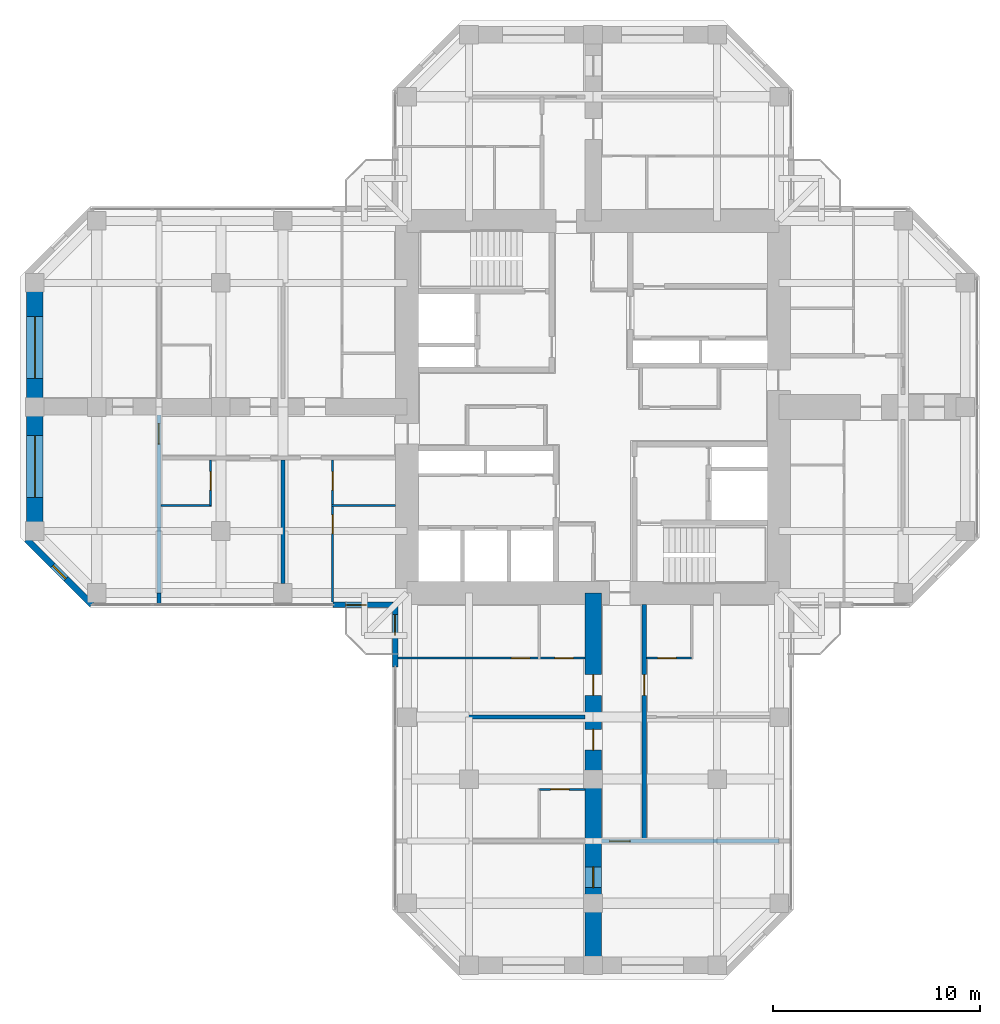
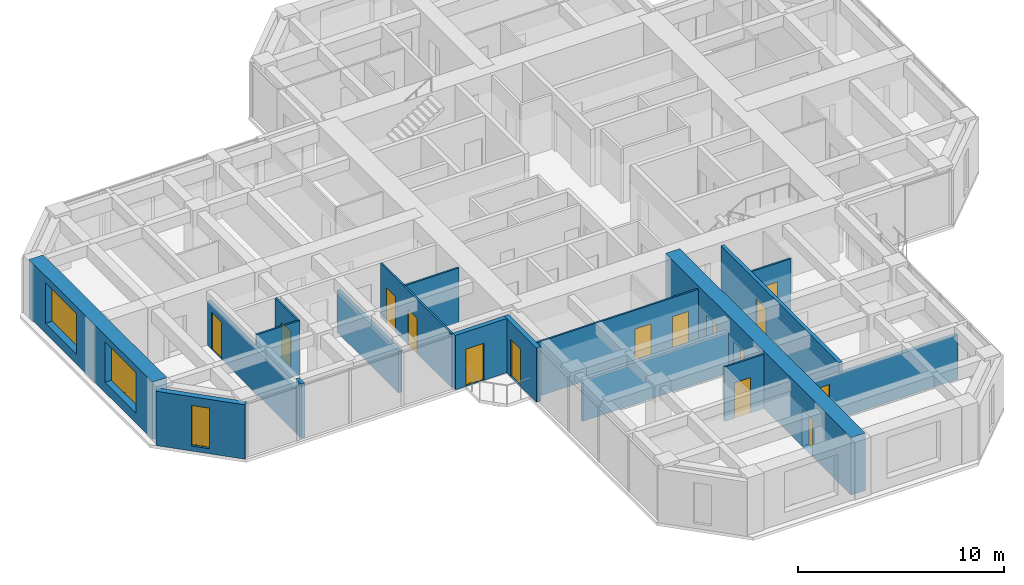
# One storey, part 8 of 14: 18 walls, 15 doors, 3 windows, 18 openings.
"""IFC4 building model written with IfcOpenShell, lengths in metres."""

from ifc_helpers import new_model, si_unit, direction, frame, frame_2d, origin, place, context, subcontext, project, spatial, rectangle, hollow_rectangle, extrude, material, layer, layer_set, constituent, constituent_set, type_object, element, fill, save


model = new_model("IFC4")

# Units and contexts
model_context = context("Model", 3, precision=1e-05, world=origin(), true_north=direction((0.0, 1.0)))
body_context = subcontext(model_context, "Body", "Model", "MODEL_VIEW")
ifc_project = project(units=[si_unit("LENGTHUNIT", "METRE"), si_unit("AREAUNIT", "SQUARE_METRE"), si_unit("VOLUMEUNIT", "CUBIC_METRE"), si_unit("PLANEANGLEUNIT", "RADIAN"), si_unit("MASSUNIT", "GRAM", prefix="KILO")], contexts=[model_context])

# Site, building, storey
site_placement = place(None, origin())
site = spatial("IfcSite", under=ifc_project, at=site_placement, CompositionType="ELEMENT")
building_placement = place(site_placement, origin())
building = spatial("IfcBuilding", under=site, at=building_placement, Name="Torre Cruceta", CompositionType="ELEMENT")
storey_placement = place(building_placement, frame((0.0, 0.0, 183.10009765625)))
storey = spatial("IfcBuildingStorey", under=building, at=storey_placement, Name="L45", CompositionType="ELEMENT", Elevation=183.10009765625)

# Wall, opening, door
ifc_material_1 = material(Name="Water-resistant plasterboard on steel studs", Category="steel")
ifc_layer_1 = layer(ifc_material_1, 0.10009765625)
ifc_layer_set_1 = layer_set([ifc_layer_1], Name="Water-resistant plasterboard on steel studs")
wall_type_1 = type_object("IfcWallType", Name="BATHROOM WALL 100", PredefinedType="PARTITIONING", material=ifc_layer_set_1)
wall_1_placement = place(storey_placement, frame((2.574951171875, -12.14990234375, 0.0), z_axis=(0.0, 0.0, 1.0), x_axis=(1.0, 0.0, 0.0)))
wall_1 = element("IfcWall", 1, at=wall_1_placement, inside=storey, type_object=wall_type_1, Name="PT4 L45-S-U1LBS", PredefinedType="PARTITIONING", context=body_context, shape_type="SweptSolid", body=[
    extrude(rectangle(XDim=2.199951171875, YDim=0.10009765625, at=frame_2d((1.10009765625, 0.0))), origin(), (0.0, 0.0, 1.0), 3.219970703125),
])
opening_1_placement = place(wall_1_placement, frame((0.550048828125, 0.0, 0.0)))
opening_1 = element("IfcOpeningElement", 2, at=opening_1_placement, cuts=wall_1, Name="Opening D7", PredefinedType="OPENING", context=body_context, shape_type="SweptSolid", body=[
    extrude(rectangle(XDim=0.89990234375, YDim=2.10009765625, at=frame_2d((0.449951171875, 1.050048828125))), frame((0.0, 0.06005859375, 0.0), z_axis=(0.0, -1.0, 0.0), x_axis=(1.0, 0.0, 0.0)), (0.0, 0.0, 1.0), 0.1201171875),
])
ifc_material_2 = material(Name="Timber door", Category="wood")
door_type_1 = type_object("IfcDoorType", Name="BATHROOM DOOR 900X2100", OperationType="SINGLE_SWING_LEFT", PredefinedType="DOOR", material=ifc_material_2)
door_1_placement = place(opening_1_placement, origin())
door_1 = element("IfcDoor", 3, at=door_1_placement, inside=storey, type_object=door_type_1, Name="D7 L45-S-U1LBS-D1", OperationType="SINGLE_SWING_LEFT", OverallHeight=2.10009765625, OverallWidth=0.89990234375, PredefinedType="DOOR", context=body_context, shape_type="SweptSolid", body=[
    extrude(rectangle(XDim=0.89990234375, YDim=2.10009765625, at=frame_2d((0.449951171875, 1.050048828125))), frame((0.0, 0.02490234375, 0.0), z_axis=(0.0, -1.0, 0.0), x_axis=(1.0, 0.0, 0.0)), (0.0, 0.0, 1.0), 0.050048828125),
])
fill(opening_1, door_1)

# Wall, openings, doors
wall_2_placement = place(storey_placement, frame((-9.445068359375, -12.14990234375, 0.0), z_axis=(0.0, 0.0, 1.0), x_axis=(1.0, 0.0, 0.0)))
wall_2 = element("IfcWall", 4, at=wall_2_placement, inside=storey, type_object=wall_type_1, Name="PT4 L45-S-U1RBS", PredefinedType="PARTITIONING", context=body_context, shape_type="SweptSolid", body=[
    extrude(rectangle(XDim=9.045166015625, YDim=0.10009765625, at=frame_2d((4.5224609375, 0.0))), origin(), (0.0, 0.0, 1.0), 3.219970703125),
])
opening_2_placement = place(wall_2_placement, frame((5.4951171875, 0.0, 0.0)))
opening_2 = element("IfcOpeningElement", 5, at=opening_2_placement, cuts=wall_2, Name="Opening D7", PredefinedType="OPENING", context=body_context, shape_type="SweptSolid", body=[
    extrude(rectangle(XDim=0.89990234375, YDim=2.10009765625, at=frame_2d((0.449951171875, 1.050048828125))), frame((0.0, 0.06005859375, 0.0), z_axis=(0.0, -1.0, 0.0), x_axis=(1.0, 0.0, 0.0)), (0.0, 0.0, 1.0), 0.1201171875),
])
opening_3_placement = place(wall_2_placement, frame((7.594970703125, 0.0, 0.0)))
opening_3 = element("IfcOpeningElement", 6, at=opening_3_placement, cuts=wall_2, Name="Opening D7", PredefinedType="OPENING", context=body_context, shape_type="SweptSolid", body=[
    extrude(rectangle(XDim=0.89990234375, YDim=2.10009765625, at=frame_2d((0.449951171875, 1.050048828125))), frame((0.0, 0.06005859375, 0.0), z_axis=(0.0, -1.0, 0.0), x_axis=(1.0, 0.0, 0.0)), (0.0, 0.0, 1.0), 0.1201171875),
])
door_2_placement = place(opening_2_placement, origin())
door_2 = element("IfcDoor", 7, at=door_2_placement, inside=storey, type_object=door_type_1, Name="D7 L45-S-U1RBS-D1", OperationType="SINGLE_SWING_RIGHT", OverallHeight=2.10009765625, OverallWidth=0.89990234375, PredefinedType="DOOR", context=body_context, shape_type="SweptSolid", body=[
    extrude(rectangle(XDim=0.89990234375, YDim=2.10009765625, at=frame_2d((0.449951171875, 1.050048828125))), frame((0.0, 0.02490234375, 0.0), z_axis=(0.0, -1.0, 0.0), x_axis=(1.0, 0.0, 0.0)), (0.0, 0.0, 1.0), 0.050048828125),
])
fill(opening_2, door_2)
door_3_placement = place(opening_3_placement, origin())
door_3 = element("IfcDoor", 8, at=door_3_placement, inside=storey, type_object=door_type_1, Name="D7 L45-S-U1RBS-D2", OperationType="SINGLE_SWING_RIGHT", OverallHeight=2.10009765625, OverallWidth=0.89990234375, PredefinedType="DOOR", context=body_context, shape_type="SweptSolid", body=[
    extrude(rectangle(XDim=0.89990234375, YDim=2.10009765625, at=frame_2d((0.449951171875, 1.050048828125))), frame((0.0, 0.02490234375, 0.0), z_axis=(0.0, -1.0, 0.0), x_axis=(1.0, 0.0, 0.0)), (0.0, 0.0, 1.0), 0.050048828125),
])
fill(opening_3, door_3)

# Wall, opening, door
wall_3_placement = place(storey_placement, frame((-2.60009765625, -18.5, 0.0), z_axis=(0.0, 0.0, 1.0), x_axis=(1.0, 0.0, 0.0)))
wall_3 = element("IfcWall", 9, at=wall_3_placement, inside=storey, type_object=wall_type_1, Name="PT4 L45-S-U2RBS", PredefinedType="PARTITIONING", context=body_context, shape_type="SweptSolid", body=[
    extrude(rectangle(XDim=2.2001953125, YDim=0.10009765625, at=frame_2d((1.10009765625, 0.0))), origin(), (0.0, 0.0, 1.0), 3.219970703125),
])
opening_4_placement = place(wall_3_placement, frame((0.550048828125, 0.0, 0.0)))
opening_4 = element("IfcOpeningElement", 10, at=opening_4_placement, cuts=wall_3, Name="Opening D7", PredefinedType="OPENING", context=body_context, shape_type="SweptSolid", body=[
    extrude(rectangle(XDim=0.89990234375, YDim=2.10009765625, at=frame_2d((0.449951171875, 1.050048828125))), frame((0.0, 0.06005859375, 0.0), z_axis=(0.0, -1.0, 0.0), x_axis=(1.0, 0.0, 0.0)), (0.0, 0.0, 1.0), 0.1201171875),
])
door_4_placement = place(opening_4_placement, frame((0.89990234375, 0.0, 0.0), z_axis=(0.0, 0.0, 1.0), x_axis=(-1.0, 0.0, 0.0)))
door_4 = element("IfcDoor", 11, at=door_4_placement, inside=storey, type_object=door_type_1, Name="D7 L45-S-U2RBS-D1", OperationType="SINGLE_SWING_RIGHT", OverallHeight=2.10009765625, OverallWidth=0.89990234375, PredefinedType="DOOR", context=body_context, shape_type="SweptSolid", body=[
    extrude(rectangle(XDim=0.89990234375, YDim=2.10009765625, at=frame_2d((0.449951171875, 1.050048828125))), frame((0.0, 0.025146484375, 0.0), z_axis=(0.0, -1.0, 0.0), x_axis=(1.0, 0.0, 0.0)), (0.0, 0.0, 1.0), 0.050048828125),
])
fill(opening_4, door_4)

# Wall
wall_4_placement = place(storey_placement, frame((-9.550048828125, -4.77490234375, 0.0), z_axis=(0.0, 0.0, 1.0), x_axis=(-1.0, 0.0, 0.0)))
element("IfcWall", 12, at=wall_4_placement, inside=storey, type_object=wall_type_1, Name="PT4 L45-W-U1LBB", PredefinedType="PARTITIONING", context=body_context, shape_type="SweptSolid", body=[
    extrude(rectangle(XDim=3.099853515625, YDim=0.10009765625, at=frame_2d((1.5498046875, 0.0))), origin(), (0.0, 0.0, 1.0), 3.219970703125),
])

# Wall, openings, doors
wall_5_placement = place(storey_placement, frame((-12.60009765625, -2.574951171875, 0.0), z_axis=(0.0, 0.0, 1.0), x_axis=(0.0, -1.0, 0.0)))
wall_5 = element("IfcWall", 13, at=wall_5_placement, inside=storey, type_object=wall_type_1, Name="PT4 L45-W-U1LBS", PredefinedType="PARTITIONING", context=body_context, shape_type="SweptSolid", body=[
    extrude(rectangle(XDim=6.8701171875, YDim=0.10009765625, at=frame_2d((3.43505859375, 0.0))), origin(), (0.0, 0.0, 1.0), 3.219970703125),
])
opening_5_placement = place(wall_5_placement, frame((0.550048828125, 0.0, 0.0)))
opening_5 = element("IfcOpeningElement", 14, at=opening_5_placement, cuts=wall_5, Name="Opening D7", PredefinedType="OPENING", context=body_context, shape_type="SweptSolid", body=[
    extrude(rectangle(XDim=0.89990234375, YDim=2.10009765625, at=frame_2d((0.449951171875, 1.050048828125))), frame((0.0, 0.06005859375, 0.0), z_axis=(0.0, -1.0, 0.0), x_axis=(1.0, 0.0, 0.0)), (0.0, 0.0, 1.0), 0.1201171875),
])
opening_6_placement = place(wall_5_placement, frame((2.64990234375, 0.0, 0.0)))
opening_6 = element("IfcOpeningElement", 15, at=opening_6_placement, cuts=wall_5, Name="Opening D7", PredefinedType="OPENING", context=body_context, shape_type="SweptSolid", body=[
    extrude(rectangle(XDim=0.89990234375, YDim=2.10009765625, at=frame_2d((0.449951171875, 1.050048828125))), frame((0.0, 0.06005859375, 0.0), z_axis=(0.0, -1.0, 0.0), x_axis=(1.0, 0.0, 0.0)), (0.0, 0.0, 1.0), 0.1201171875),
])
door_5_placement = place(opening_5_placement, origin())
door_5 = element("IfcDoor", 16, at=door_5_placement, inside=storey, type_object=door_type_1, Name="D7 L45-W-U1LBS-D1", OperationType="SINGLE_SWING_LEFT", OverallHeight=2.10009765625, OverallWidth=0.89990234375, PredefinedType="DOOR", context=body_context, shape_type="SweptSolid", body=[
    extrude(rectangle(XDim=0.89990234375, YDim=2.10009765625, at=frame_2d((0.449951171875, 1.050048828125))), frame((0.0, 0.02490234375, 0.0), z_axis=(0.0, -1.0, 0.0), x_axis=(1.0, 0.0, 0.0)), (0.0, 0.0, 1.0), 0.050048828125),
])
fill(opening_5, door_5)
door_6_placement = place(opening_6_placement, origin())
door_6 = element("IfcDoor", 17, at=door_6_placement, inside=storey, type_object=door_type_1, Name="D7 L45-W-U1LBS-D2", OperationType="SINGLE_SWING_LEFT", OverallHeight=2.10009765625, OverallWidth=0.89990234375, PredefinedType="DOOR", context=body_context, shape_type="SweptSolid", body=[
    extrude(rectangle(XDim=0.89990234375, YDim=2.10009765625, at=frame_2d((0.449951171875, 1.050048828125))), frame((0.0, 0.02490234375, 0.0), z_axis=(0.0, -1.0, 0.0), x_axis=(1.0, 0.0, 0.0)), (0.0, 0.0, 1.0), 0.050048828125),
])
fill(opening_6, door_6)

# Wall
wall_6_placement = place(storey_placement, frame((-18.449951171875, -4.77490234375, 0.0), z_axis=(0.0, 0.0, 1.0), x_axis=(-1.0, 0.0, 0.0)))
element("IfcWall", 18, at=wall_6_placement, inside=storey, type_object=wall_type_1, Name="PT4 L45-W-U2LBB", PredefinedType="PARTITIONING", context=body_context, shape_type="SweptSolid", body=[
    extrude(rectangle(XDim=2.449951171875, YDim=0.10009765625, at=frame_2d((1.22509765625, 0.0))), origin(), (0.0, 0.0, 1.0), 3.219970703125),
])

# Wall, opening, door
wall_7_placement = place(storey_placement, frame((-18.5, -2.574951171875, 0.0), z_axis=(0.0, 0.0, 1.0), x_axis=(0.0, -1.0, 0.0)))
wall_7 = element("IfcWall", 19, at=wall_7_placement, inside=storey, type_object=wall_type_1, Name="PT4 L45-W-U2LBS", PredefinedType="PARTITIONING", context=body_context, shape_type="SweptSolid", body=[
    extrude(rectangle(XDim=2.199951171875, YDim=0.10009765625, at=frame_2d((1.10009765625, 0.0))), origin(), (0.0, 0.0, 1.0), 3.219970703125),
])
opening_7_placement = place(wall_7_placement, frame((0.550048828125, 0.0, 0.0)))
opening_7 = element("IfcOpeningElement", 20, at=opening_7_placement, cuts=wall_7, Name="Opening D7", PredefinedType="OPENING", context=body_context, shape_type="SweptSolid", body=[
    extrude(rectangle(XDim=0.89990234375, YDim=2.10009765625, at=frame_2d((0.449951171875, 1.050048828125))), frame((0.0, 0.06005859375, 0.0), z_axis=(0.0, -1.0, 0.0), x_axis=(1.0, 0.0, 0.0)), (0.0, 0.0, 1.0), 0.1201171875),
])
door_7_placement = place(opening_7_placement, frame((0.89990234375, 0.0, 0.0), z_axis=(0.0, 0.0, 1.0), x_axis=(-1.0, 0.0, 0.0)))
door_7 = element("IfcDoor", 21, at=door_7_placement, inside=storey, type_object=door_type_1, Name="D7 L45-W-U2LBS-D1", OperationType="SINGLE_SWING_RIGHT", OverallHeight=2.10009765625, OverallWidth=0.89990234375, PredefinedType="DOOR", context=body_context, shape_type="SweptSolid", body=[
    extrude(rectangle(XDim=0.89990234375, YDim=2.10009765625, at=frame_2d((0.449951171875, 1.050048828125))), frame((0.0, 0.025146484375, 0.0), z_axis=(0.0, -1.0, 0.0), x_axis=(1.0, 0.0, 0.0)), (0.0, 0.0, 1.0), 0.050048828125),
])
fill(opening_7, door_7)

ifc_material_3 = material(Name="Concrete G25 (fck 25 MPa)", Category="concrete")
ifc_layer_2 = layer(ifc_material_3, 0.199951171875)
ifc_layer_set_2 = layer_set([ifc_layer_2], Name="Concrete G25 (fck 25 MPa)")
wall_type_2 = type_object("IfcWallType", Name="CORRIDOR WALL 200", PredefinedType="SOLIDWALL", material=ifc_layer_set_2)
wall_8_placement = place(storey_placement, frame((2.47509765625, -9.550048828125, 0.0), z_axis=(0.0, 0.0, 1.0), x_axis=(0.0, -1.0, 0.0)))
wall_8 = element("IfcWall", 22, at=wall_8_placement, inside=storey, type_object=wall_type_2, Name="PT3 L45-S-CL", PredefinedType="SOLIDWALL", context=body_context, shape_type="SweptSolid", body=[
    extrude(rectangle(XDim=11.449951171875, YDim=0.199951171875, at=frame_2d((5.72509765625, 0.0))), origin(), (0.0, 0.0, 1.0), 3.219970703125),
])
opening_8_placement = place(wall_8_placement, frame((3.39990234375, 0.0, 0.0)))
opening_8 = element("IfcOpeningElement", 23, at=opening_8_placement, cuts=wall_8, Name="Opening D6", PredefinedType="OPENING", context=body_context, shape_type="SweptSolid", body=[
    extrude(rectangle(XDim=1.0, YDim=2.14990234375, at=frame_2d((0.5, 1.074951171875))), frame((0.0, 0.10986328125, 0.0), z_axis=(0.0, -1.0, 0.0), x_axis=(1.0, 0.0, 0.0)), (0.0, 0.0, 1.0), 0.219970703125),
])
ifc_material_4 = material(Name="Timber fire door", Category="wood")
door_type_2 = type_object("IfcDoorType", Name="UNIT ENTRANCE DOOR 1000X2150", OperationType="SINGLE_SWING_LEFT", PredefinedType="DOOR", material=ifc_material_4)
door_8_placement = place(opening_8_placement, origin())
door_8 = element("IfcDoor", 24, at=door_8_placement, inside=storey, type_object=door_type_2, Name="D6 L45-S-CL-D1", OperationType="SINGLE_SWING_LEFT", OverallHeight=2.14990234375, OverallWidth=1.0, PredefinedType="DOOR", context=body_context, shape_type="SweptSolid", body=[
    extrude(rectangle(XDim=1.0, YDim=2.14990234375, at=frame_2d((0.5, 1.074951171875))), frame((0.0, 0.02490234375, 0.0), z_axis=(0.0, -1.0, 0.0), x_axis=(1.0, 0.0, 0.0)), (0.0, 0.0, 1.0), 0.050048828125),
])
fill(opening_8, door_8)

# Wall, opening, window
ifc_material_5 = material(Name="Concrete G30 (fck 30 MPa)", Category="concrete")
ifc_layer_3 = layer(ifc_material_5, 0.300048828125)
ifc_layer_set_3 = layer_set([ifc_layer_3], Name="Concrete G30 (fck 30 MPa)")
wall_type_3 = type_object("IfcWallType", Name="EXPOSED CONCRETE FACADE WALL 300", PredefinedType="SOLIDWALL", material=ifc_layer_set_3)
wall_9_placement = place(storey_placement, frame((-27.39990234375, -6.406005859375, 0.0), z_axis=(0.0, 0.0, 1.0), x_axis=(0.707079499254, -0.707134062067, 0.0)))
wall_9 = element("IfcWall", 25, at=wall_9_placement, inside=storey, type_object=wall_type_3, Name="EW1 facade wall L45 W chamfer 13", PredefinedType="SOLIDWALL", context=body_context, shape_type="SweptSolid", body=[
    extrude(rectangle(XDim=4.474609375, YDim=0.300048828125, at=frame_2d((2.2373046875, 0.0))), origin(), (0.0, 0.0, 1.0), 3.219970703125),
])
opening_9_placement = place(wall_9_placement, frame((1.787109375, 0.0, 0.300048828125)))
opening_9 = element("IfcOpeningElement", 26, at=opening_9_placement, cuts=wall_9, Name="Opening WN5", PredefinedType="OPENING", context=body_context, shape_type="SweptSolid", body=[
    extrude(rectangle(XDim=0.89990234375, YDim=2.39990234375, at=frame_2d((0.449951171875, 1.199951171875))), frame((0.0, 0.159912109375, 0.0), z_axis=(0.0, -1.0, 0.0), x_axis=(1.0, 0.0, 0.0)), (0.0, 0.0, 1.0), 0.320068359375),
])
ifc_material_6 = material(Name="Aluminium window frame", Category="aluminium")
ifc_constituent_1 = constituent(ifc_material_6, Name="Frame")
ifc_material_7 = material(Name="Laminated insulating glass unit, low-iron clear", Category="glass")
ifc_constituent_2 = constituent(ifc_material_7, Name="Glazing")
ifc_constituent_set_1 = constituent_set(constituents=[ifc_constituent_1, ifc_constituent_2], Name="Aluminium window")
window_type_1 = type_object("IfcWindowType", Name="CHAMFER SLOT WINDOW 900X2400", PartitioningType="SINGLE_PANEL", PredefinedType="WINDOW", material=ifc_constituent_set_1)
window_1_placement = place(opening_9_placement, origin())
window_1 = element("IfcWindow", 27, at=window_1_placement, inside=storey, type_object=window_type_1, Name="WN5 L45 W 1", OverallHeight=2.39990234375, OverallWidth=0.89990234375, PartitioningType="SINGLE_PANEL", PredefinedType="WINDOW", context=body_context, shape_type="SweptSolid", body=[
    extrude(hollow_rectangle(XDim=0.89990234375, YDim=2.39990234375, WallThickness=0.06005859375, at=frame_2d((0.449951171875, 1.199951171875))), frame((0.0, 0.030029296875, 0.0), z_axis=(0.0, -1.0, 0.0), x_axis=(1.0, 0.0, 0.0)), (0.0, 0.0, 1.0), 0.06005859375),
    extrude(rectangle(XDim=0.77880859375, YDim=2.27880859375, at=frame_2d((0.449951171875, 1.199951171875))), frame((0.0, 0.030029296875, 0.0), z_axis=(0.0, -1.0, 0.0), x_axis=(1.0, 0.0, 0.0)), (0.0, 0.0, 1.0), 0.06005859375),
])
fill(opening_9, window_1)

# Wall, openings, windows
ifc_material_8 = material(Name="Concrete G60 (fck 60 MPa)", Category="concrete")
ifc_layer_4 = layer(ifc_material_8, 0.800048828125)
ifc_layer_set_4 = layer_set([ifc_layer_4], Name="Concrete G60 (fck 60 MPa)")
wall_type_4 = type_object("IfcWallType", Name="NOSE WALL 800 G60", PredefinedType="SHEAR", material=ifc_layer_set_4)
wall_10_placement = place(storey_placement, frame((-27.0, 6.0, 0.0), z_axis=(0.0, 0.0, 1.0), x_axis=(0.0, -1.0, 0.0)))
wall_10 = element("IfcWall", 28, at=wall_10_placement, inside=storey, type_object=wall_type_4, Name="NW2 nose wall L45 W", PredefinedType="SHEAR", context=body_context, shape_type="SweptSolid", body=[
    extrude(rectangle(XDim=12.0, YDim=0.800048828125, at=frame_2d((6.0, 0.0))), origin(), (0.0, 0.0, 1.0), 3.39990234375),
])
opening_10_placement = place(wall_10_placement, frame((1.625, 0.0, 0.60009765625)))
opening_10 = element("IfcOpeningElement", 29, at=opening_10_placement, cuts=wall_10, Name="Opening WN6", PredefinedType="OPENING", context=body_context, shape_type="SweptSolid", body=[
    extrude(rectangle(XDim=3.0, YDim=2.39990234375, at=frame_2d((1.5, 1.199951171875))), frame((0.0, 0.409912109375, 0.0), z_axis=(0.0, -1.0, 0.0), x_axis=(1.0, 0.0, 0.0)), (0.0, 0.0, 1.0), 0.820068359375),
])
opening_11_placement = place(wall_10_placement, frame((7.375, 0.0, 0.60009765625)))
opening_11 = element("IfcOpeningElement", 30, at=opening_11_placement, cuts=wall_10, Name="Opening WN6", PredefinedType="OPENING", context=body_context, shape_type="SweptSolid", body=[
    extrude(rectangle(XDim=3.0, YDim=2.39990234375, at=frame_2d((1.5, 1.199951171875))), frame((0.0, 0.409912109375, 0.0), z_axis=(0.0, -1.0, 0.0), x_axis=(1.0, 0.0, 0.0)), (0.0, 0.0, 1.0), 0.820068359375),
])
ifc_material_9 = material(Name="Aluminium window frame", Category="aluminium")
ifc_constituent_3 = constituent(ifc_material_9, Name="Frame")
ifc_material_10 = material(Name="Laminated insulating glass unit, low-iron clear", Category="glass")
ifc_constituent_4 = constituent(ifc_material_10, Name="Glazing")
ifc_constituent_set_2 = constituent_set(constituents=[ifc_constituent_3, ifc_constituent_4], Name="Aluminium window")
window_type_2 = type_object("IfcWindowType", Name="NOSE WALL WINDOW 3000X2400", PartitioningType="SINGLE_PANEL", PredefinedType="WINDOW", material=ifc_constituent_set_2)
window_2_placement = place(opening_10_placement, origin())
window_2 = element("IfcWindow", 31, at=window_2_placement, inside=storey, type_object=window_type_2, Name="WN6 L45 W 1", OverallHeight=2.39990234375, OverallWidth=3.0, PartitioningType="SINGLE_PANEL", PredefinedType="WINDOW", context=body_context, shape_type="SweptSolid", body=[
    extrude(hollow_rectangle(XDim=3.0, YDim=2.39990234375, WallThickness=0.06005859375, at=frame_2d((1.5, 1.199951171875))), frame((0.0, 0.030029296875, 0.0), z_axis=(0.0, -1.0, 0.0), x_axis=(1.0, 0.0, 0.0)), (0.0, 0.0, 1.0), 0.06005859375),
    extrude(rectangle(XDim=2.87890625, YDim=2.27880859375, at=frame_2d((1.5, 1.199951171875))), frame((0.0, 0.030029296875, 0.0), z_axis=(0.0, -1.0, 0.0), x_axis=(1.0, 0.0, 0.0)), (0.0, 0.0, 1.0), 0.06005859375),
])
fill(opening_10, window_2)
window_3_placement = place(opening_11_placement, origin())
window_3 = element("IfcWindow", 32, at=window_3_placement, inside=storey, type_object=window_type_2, Name="WN6 L45 W 2", OverallHeight=2.39990234375, OverallWidth=3.0, PartitioningType="SINGLE_PANEL", PredefinedType="WINDOW", context=body_context, shape_type="SweptSolid", body=[
    extrude(hollow_rectangle(XDim=3.0, YDim=2.39990234375, WallThickness=0.06005859375, at=frame_2d((1.5, 1.199951171875))), frame((0.0, 0.030029296875, 0.0), z_axis=(0.0, -1.0, 0.0), x_axis=(1.0, 0.0, 0.0)), (0.0, 0.0, 1.0), 0.06005859375),
    extrude(rectangle(XDim=2.87890625, YDim=2.27880859375, at=frame_2d((1.5, 1.199951171875))), frame((0.0, 0.030029296875, 0.0), z_axis=(0.0, -1.0, 0.0), x_axis=(1.0, 0.0, 0.0)), (0.0, 0.0, 1.0), 0.06005859375),
])
fill(opening_11, window_3)

# Wall, openings, doors
ifc_material_11 = material(Name="Concrete G60 (fck 60 MPa)", Category="concrete")
ifc_layer_5 = layer(ifc_material_11, 0.800048828125)
ifc_layer_set_5 = layer_set([ifc_layer_5], Name="Concrete G60 (fck 60 MPa)")
wall_type_5 = type_object("IfcWallType", Name="SPINE WALL 800 G60", PredefinedType="SHEAR", material=ifc_layer_set_5)
wall_11_placement = place(storey_placement, frame((0.0, -9.0, 0.0), z_axis=(0.0, 0.0, 1.0), x_axis=(0.0, -1.0, 0.0)))
wall_11 = element("IfcWall", 33, at=wall_11_placement, inside=storey, type_object=wall_type_5, Name="SW4 spine wall L45 S", PredefinedType="SHEAR", context=body_context, shape_type="SweptSolid", body=[
    extrude(rectangle(XDim=18.0, YDim=0.800048828125, at=frame_2d((9.0, 0.0))), origin(), (0.0, 0.0, 1.0), 3.39990234375),
])
opening_12_placement = place(wall_11_placement, frame((3.949951171875, 0.0, 0.0)))
opening_12 = element("IfcOpeningElement", 34, at=opening_12_placement, cuts=wall_11, Name="Opening D6", PredefinedType="OPENING", context=body_context, shape_type="SweptSolid", body=[
    extrude(rectangle(XDim=1.0, YDim=2.14990234375, at=frame_2d((0.5, 1.074951171875))), frame((0.0, 0.409912109375, 0.0), z_axis=(0.0, -1.0, 0.0), x_axis=(1.0, 0.0, 0.0)), (0.0, 0.0, 1.0), 0.820068359375),
])
opening_13_placement = place(wall_11_placement, frame((6.60009765625, 0.0, 0.0)))
opening_13 = element("IfcOpeningElement", 35, at=opening_13_placement, cuts=wall_11, Name="Opening D6", PredefinedType="OPENING", context=body_context, shape_type="SweptSolid", body=[
    extrude(rectangle(XDim=1.0, YDim=2.14990234375, at=frame_2d((0.5, 1.074951171875))), frame((0.0, 0.409912109375, 0.0), z_axis=(0.0, -1.0, 0.0), x_axis=(1.0, 0.0, 0.0)), (0.0, 0.0, 1.0), 0.820068359375),
])
opening_14_placement = place(wall_11_placement, frame((13.25, 0.0, 0.0)))
opening_14 = element("IfcOpeningElement", 36, at=opening_14_placement, cuts=wall_11, Name="Opening D14", PredefinedType="OPENING", context=body_context, shape_type="SweptSolid", body=[
    extrude(rectangle(XDim=1.0, YDim=2.199951171875, at=frame_2d((0.5, 1.10009765625))), frame((0.0, 0.409912109375, 0.0), z_axis=(0.0, -1.0, 0.0), x_axis=(1.0, 0.0, 0.0)), (0.0, 0.0, 1.0), 0.820068359375),
])
ifc_material_12 = material(Name="Steel DX51D", Category="steel")
ifc_constituent_5 = constituent(ifc_material_12, Name="Leaf and frame")
ifc_material_13 = material(Name="Polyester powder coating", Category="paint")
ifc_constituent_6 = constituent(ifc_material_13, Name="Finish")
ifc_material_14 = material(Name="Fire-resisting glass", Category="glass")
ifc_constituent_7 = constituent(ifc_material_14, Name="Vision panel")
ifc_constituent_set_3 = constituent_set(constituents=[ifc_constituent_5, ifc_constituent_6, ifc_constituent_7], Name="Steel fire door with vision panel")
door_type_3 = type_object("IfcDoorType", Name="FIRE DOOR VISION PANEL 1000X2200", OperationType="SINGLE_SWING_RIGHT", PredefinedType="DOOR", material=ifc_constituent_set_3)
door_9_placement = place(opening_14_placement, origin())
door_9 = element("IfcDoor", 37, at=door_9_placement, inside=storey, type_object=door_type_3, Name="D14 L45-S-SP3", OperationType="SINGLE_SWING_LEFT", OverallHeight=2.199951171875, OverallWidth=1.0, PredefinedType="DOOR", context=body_context, shape_type="SweptSolid", body=[
    extrude(rectangle(XDim=1.0, YDim=2.199951171875, at=frame_2d((0.5, 1.10009765625))), frame((0.0, 0.02490234375, 0.0), z_axis=(0.0, -1.0, 0.0), x_axis=(1.0, 0.0, 0.0)), (0.0, 0.0, 1.0), 0.050048828125),
])
fill(opening_14, door_9)
door_10_placement = place(opening_12_placement, frame((1.0, 0.0, 0.0), z_axis=(0.0, 0.0, 1.0), x_axis=(-1.0, 0.0, 0.0)))
door_10 = element("IfcDoor", 38, at=door_10_placement, inside=storey, type_object=door_type_2, Name="D6 L45-S-SP1", OperationType="SINGLE_SWING_RIGHT", OverallHeight=2.14990234375, OverallWidth=1.0, PredefinedType="DOOR", context=body_context, shape_type="SweptSolid", body=[
    extrude(rectangle(XDim=1.0, YDim=2.14990234375, at=frame_2d((0.5, 1.074951171875))), frame((0.0, 0.025146484375, 0.0), z_axis=(0.0, -1.0, 0.0), x_axis=(1.0, 0.0, 0.0)), (0.0, 0.0, 1.0), 0.050048828125),
])
fill(opening_12, door_10)
door_11_placement = place(opening_13_placement, frame((1.0, 0.0, 0.0), z_axis=(0.0, 0.0, 1.0), x_axis=(-1.0, 0.0, 0.0)))
door_11 = element("IfcDoor", 39, at=door_11_placement, inside=storey, type_object=door_type_2, Name="D6 L45-S-SP2", OperationType="SINGLE_SWING_RIGHT", OverallHeight=2.14990234375, OverallWidth=1.0, PredefinedType="DOOR", context=body_context, shape_type="SweptSolid", body=[
    extrude(rectangle(XDim=1.0, YDim=2.14990234375, at=frame_2d((0.5, 1.074951171875))), frame((0.0, 0.025146484375, 0.0), z_axis=(0.0, -1.0, 0.0), x_axis=(1.0, 0.0, 0.0)), (0.0, 0.0, 1.0), 0.050048828125),
])
fill(opening_13, door_11)

# Wall
ifc_material_15 = material(Name="Concrete G25 (fck 25 MPa)", Category="concrete")
ifc_layer_6 = layer(ifc_material_15, 0.199951171875)
ifc_layer_set_6 = layer_set([ifc_layer_6], Name="Concrete G25 (fck 25 MPa)")
wall_type_6 = type_object("IfcWallType", Name="UNIT SEPARATING WALL 200", PredefinedType="SOLIDWALL", material=ifc_layer_set_6)
wall_12_placement = place(storey_placement, frame((-8.550048828125, -15.0, 0.0), z_axis=(0.0, 0.0, 1.0), x_axis=(1.0, 0.0, 0.0)))
element("IfcWall", 40, at=wall_12_placement, inside=storey, type_object=wall_type_6, Name="PT2 L45-S-P1R", PredefinedType="SOLIDWALL", context=body_context, shape_type="SweptSolid", body=[
    extrude(rectangle(XDim=8.150146484375, YDim=0.199951171875, at=frame_2d((4.0751953125, 0.0))), origin(), (0.0, 0.0, 1.0), 2.469970703125),
])

# Wall, opening, door
wall_13_placement = place(storey_placement, frame((0.39990234375, -21.0, 0.0), z_axis=(0.0, 0.0, 1.0), x_axis=(1.0, 0.0, 0.0)))
wall_13 = element("IfcWall", 41, at=wall_13_placement, inside=storey, type_object=wall_type_6, Name="PT2 L45-S-ENDb", PredefinedType="SOLIDWALL", context=body_context, shape_type="SweptSolid", body=[
    extrude(rectangle(XDim=8.60009765625, YDim=0.199951171875, at=frame_2d((4.300048828125, 0.0))), origin(), (0.0, 0.0, 1.0), 2.619873046875),
])
opening_15_placement = place(wall_13_placement, frame((0.39990234375, 0.0, 0.0)))
opening_15 = element("IfcOpeningElement", 42, at=opening_15_placement, cuts=wall_13, Name="Opening D14", PredefinedType="OPENING", context=body_context, shape_type="SweptSolid", body=[
    extrude(rectangle(XDim=1.0, YDim=2.199951171875, at=frame_2d((0.5, 1.10009765625))), frame((0.0, 0.10986328125, 0.0), z_axis=(0.0, -1.0, 0.0), x_axis=(1.0, 0.0, 0.0)), (0.0, 0.0, 1.0), 0.219970703125),
])
door_12_placement = place(opening_15_placement, frame((1.0, 0.0, 0.0), z_axis=(0.0, 0.0, 1.0), x_axis=(-1.0, 0.0, 0.0)))
door_12 = element("IfcDoor", 43, at=door_12_placement, inside=storey, type_object=door_type_3, Name="D14 L45-S-ENDb-D1", OperationType="SINGLE_SWING_RIGHT", OverallHeight=2.199951171875, OverallWidth=1.0, PredefinedType="DOOR", context=body_context, shape_type="SweptSolid", body=[
    extrude(rectangle(XDim=1.0, YDim=2.199951171875, at=frame_2d((0.5, 1.10009765625))), frame((0.0, 0.025146484375, 0.0), z_axis=(0.0, -1.0, 0.0), x_axis=(1.0, 0.0, 0.0)), (0.0, 0.0, 1.0), 0.050048828125),
])
fill(opening_15, door_12)

# Wall
wall_14_placement = place(storey_placement, frame((-15.0, -2.574951171875, 0.0), z_axis=(0.0, 0.0, 1.0), x_axis=(0.0, -1.0, 0.0)))
element("IfcWall", 44, at=wall_14_placement, inside=storey, type_object=wall_type_6, Name="PT2 L45-W-P1L", PredefinedType="SOLIDWALL", context=body_context, shape_type="SweptSolid", body=[
    extrude(rectangle(XDim=5.97509765625, YDim=0.199951171875, at=frame_2d((2.987548828125, 0.0))), origin(), (0.0, 0.0, 1.0), 2.469970703125),
])

# Wall, opening, door
wall_15_placement = place(storey_placement, frame((-21.0, -0.39990234375, 0.0), z_axis=(0.0, 0.0, 1.0), x_axis=(0.0, -1.0, 0.0)))
wall_15 = element("IfcWall", 45, at=wall_15_placement, inside=storey, type_object=wall_type_6, Name="PT2 L45-W-ENDb", PredefinedType="SOLIDWALL", context=body_context, shape_type="SweptSolid", body=[
    extrude(rectangle(XDim=8.60009765625, YDim=0.199951171875, at=frame_2d((4.300048828125, 0.0))), origin(), (0.0, 0.0, 1.0), 2.619873046875),
])
opening_16_placement = place(wall_15_placement, frame((0.39990234375, 0.0, 0.0)))
opening_16 = element("IfcOpeningElement", 46, at=opening_16_placement, cuts=wall_15, Name="Opening D14", PredefinedType="OPENING", context=body_context, shape_type="SweptSolid", body=[
    extrude(rectangle(XDim=1.0, YDim=2.199951171875, at=frame_2d((0.5, 1.10009765625))), frame((0.0, 0.10986328125, 0.0), z_axis=(0.0, -1.0, 0.0), x_axis=(1.0, 0.0, 0.0)), (0.0, 0.0, 1.0), 0.219970703125),
])
door_13_placement = place(opening_16_placement, frame((1.0, 0.0, 0.0), z_axis=(0.0, 0.0, 1.0), x_axis=(-1.0, 0.0, 0.0)))
door_13 = element("IfcDoor", 47, at=door_13_placement, inside=storey, type_object=door_type_3, Name="D14 L45-W-ENDb-D1", OperationType="SINGLE_SWING_RIGHT", OverallHeight=2.199951171875, OverallWidth=1.0, PredefinedType="DOOR", context=body_context, shape_type="SweptSolid", body=[
    extrude(rectangle(XDim=1.0, YDim=2.199951171875, at=frame_2d((0.5, 1.10009765625))), frame((0.0, 0.025146484375, 0.0), z_axis=(0.0, -1.0, 0.0), x_axis=(1.0, 0.0, 0.0)), (0.0, 0.0, 1.0), 0.050048828125),
])
fill(opening_16, door_13)

# Wall
wall_16_placement = place(storey_placement, frame((-21.0, -9.0, 0.0), z_axis=(0.0, 0.0, 1.0), x_axis=(0.0, -1.0, 0.0)))
element("IfcWall", 48, at=wall_16_placement, inside=storey, type_object=wall_type_6, Name="PT2 L45-W-ENDb 2", PredefinedType="SOLIDWALL", context=body_context, shape_type="SweptSolid", body=[
    extrude(rectangle(XDim=0.530029296875, YDim=0.199951171875, at=frame_2d((0.26513671875, 0.0))), origin(), (0.0, 0.0, 1.0), 3.219970703125),
])

# Wall, opening, door
ifc_material_16 = material(Name="Concrete G30 (fck 30 MPa)", Category="concrete")
ifc_layer_7 = layer(ifc_material_16, 0.25)
ifc_layer_set_7 = layer_set([ifc_layer_7], Name="Concrete G30 (fck 30 MPa)")
wall_type_7 = type_object("IfcWallType", Name="WINTER GARDEN WALL 250", PredefinedType="SOLIDWALL", material=ifc_layer_set_7)
wall_17_placement = place(storey_placement, frame((-12.570068359375, -9.570068359375, 0.0), z_axis=(0.0, 0.0, 1.0), x_axis=(1.0, 0.0, 0.0)))
wall_17 = element("IfcWall", 49, at=wall_17_placement, inside=storey, type_object=wall_type_7, Name="EW2 winter garden wall L45 14", PredefinedType="SOLIDWALL", context=body_context, shape_type="SweptSolid", body=[
    extrude(rectangle(XDim=2.875, YDim=0.25, at=frame_2d((1.4375, 0.0))), origin(), (0.0, 0.0, 1.0), 3.219970703125),
])
opening_17_placement = place(wall_17_placement, frame((0.60009765625, 0.0, 0.0)))
opening_17 = element("IfcOpeningElement", 50, at=opening_17_placement, cuts=wall_17, Name="Opening D10", PredefinedType="OPENING", context=body_context, shape_type="SweptSolid", body=[
    extrude(rectangle(XDim=1.0, YDim=2.199951171875, at=frame_2d((0.5, 1.10009765625))), frame((0.0, 0.135009765625, 0.0), z_axis=(0.0, -1.0, 0.0), x_axis=(1.0, 0.0, 0.0)), (0.0, 0.0, 1.0), 0.27001953125),
])
ifc_material_17 = material(Name="Aluminium door frame", Category="aluminium")
ifc_constituent_8 = constituent(ifc_material_17, Name="Frame")
ifc_material_18 = material(Name="Laminated safety glass", Category="glass")
ifc_constituent_9 = constituent(ifc_material_18, Name="Glazing")
ifc_constituent_set_4 = constituent_set(constituents=[ifc_constituent_8, ifc_constituent_9], Name="Aluminium glazed door")
door_type_4 = type_object("IfcDoorType", Name="BALCONY DOOR 1000X2200", OperationType="SINGLE_SWING_RIGHT", PredefinedType="DOOR", material=ifc_constituent_set_4)
door_14_placement = place(opening_17_placement, origin())
door_14 = element("IfcDoor", 51, at=door_14_placement, inside=storey, type_object=door_type_4, Name="D10 balcony door L45 14", OperationType="SINGLE_SWING_LEFT", OverallHeight=2.199951171875, OverallWidth=1.0, PredefinedType="DOOR", context=body_context, shape_type="SweptSolid", body=[
    extrude(hollow_rectangle(XDim=1.0, YDim=2.199951171875, WallThickness=0.06005859375, at=frame_2d((0.5, 1.10009765625))), frame((0.0, 0.02490234375, 0.0), z_axis=(0.0, -1.0, 0.0), x_axis=(1.0, 0.0, 0.0)), (0.0, 0.0, 1.0), 0.050048828125),
    extrude(rectangle(XDim=0.87890625, YDim=2.078857421875, at=frame_2d((0.5, 1.10009765625))), frame((0.0, 0.02490234375, 0.0), z_axis=(0.0, -1.0, 0.0), x_axis=(1.0, 0.0, 0.0)), (0.0, 0.0, 1.0), 0.050048828125),
])
fill(opening_17, door_14)

wall_18_placement = place(storey_placement, frame((-9.570068359375, -9.445068359375, 0.0), z_axis=(0.0, 0.0, 1.0), x_axis=(0.0, -1.0, 0.0)))
wall_18 = element("IfcWall", 52, at=wall_18_placement, inside=storey, type_object=wall_type_7, Name="EW2 winter garden wall L45 15", PredefinedType="SOLIDWALL", context=body_context, shape_type="SweptSolid", body=[
    extrude(rectangle(XDim=3.125, YDim=0.25, at=frame_2d((1.5625, 0.0))), origin(), (0.0, 0.0, 1.0), 3.219970703125),
])
opening_18_placement = place(wall_18_placement, frame((0.60009765625, 0.0, 0.0)))
opening_18 = element("IfcOpeningElement", 53, at=opening_18_placement, cuts=wall_18, Name="Opening D10", PredefinedType="OPENING", context=body_context, shape_type="SweptSolid", body=[
    extrude(rectangle(XDim=1.0, YDim=2.199951171875, at=frame_2d((0.5, 1.10009765625))), frame((0.0, 0.135009765625, 0.0), z_axis=(0.0, -1.0, 0.0), x_axis=(1.0, 0.0, 0.0)), (0.0, 0.0, 1.0), 0.27001953125),
])
door_15_placement = place(opening_18_placement, origin())
door_15 = element("IfcDoor", 54, at=door_15_placement, inside=storey, type_object=door_type_4, Name="D10 balcony door L45 15", OperationType="SINGLE_SWING_LEFT", OverallHeight=2.199951171875, OverallWidth=1.0, PredefinedType="DOOR", context=body_context, shape_type="SweptSolid", body=[
    extrude(hollow_rectangle(XDim=1.0, YDim=2.199951171875, WallThickness=0.06005859375, at=frame_2d((0.5, 1.10009765625))), frame((0.0, 0.02490234375, 0.0), z_axis=(0.0, -1.0, 0.0), x_axis=(1.0, 0.0, 0.0)), (0.0, 0.0, 1.0), 0.050048828125),
    extrude(rectangle(XDim=0.87890625, YDim=2.078857421875, at=frame_2d((0.5, 1.10009765625))), frame((0.0, 0.02490234375, 0.0), z_axis=(0.0, -1.0, 0.0), x_axis=(1.0, 0.0, 0.0)), (0.0, 0.0, 1.0), 0.050048828125),
])
fill(opening_18, door_15)

save(model, "model.ifc")
